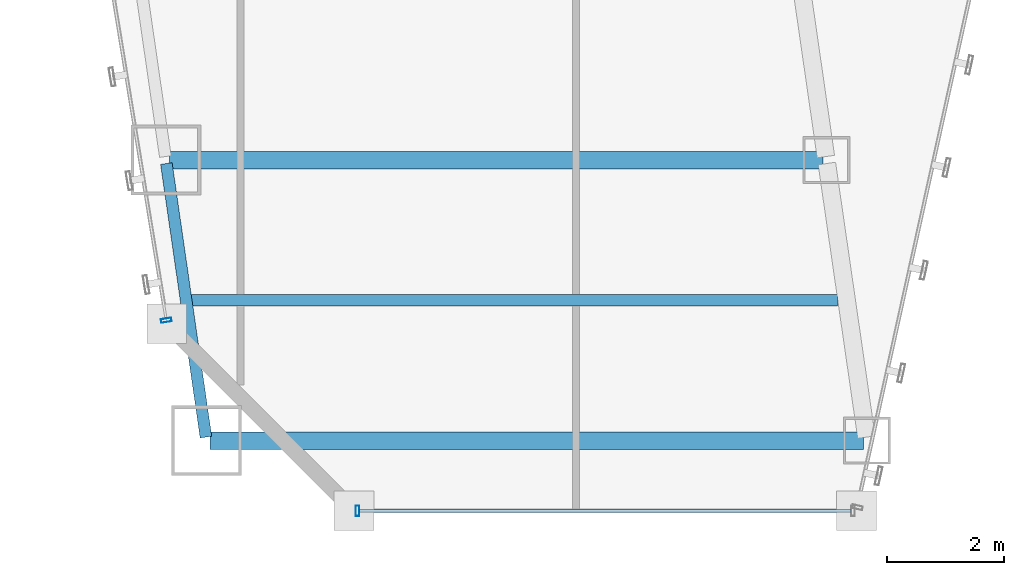
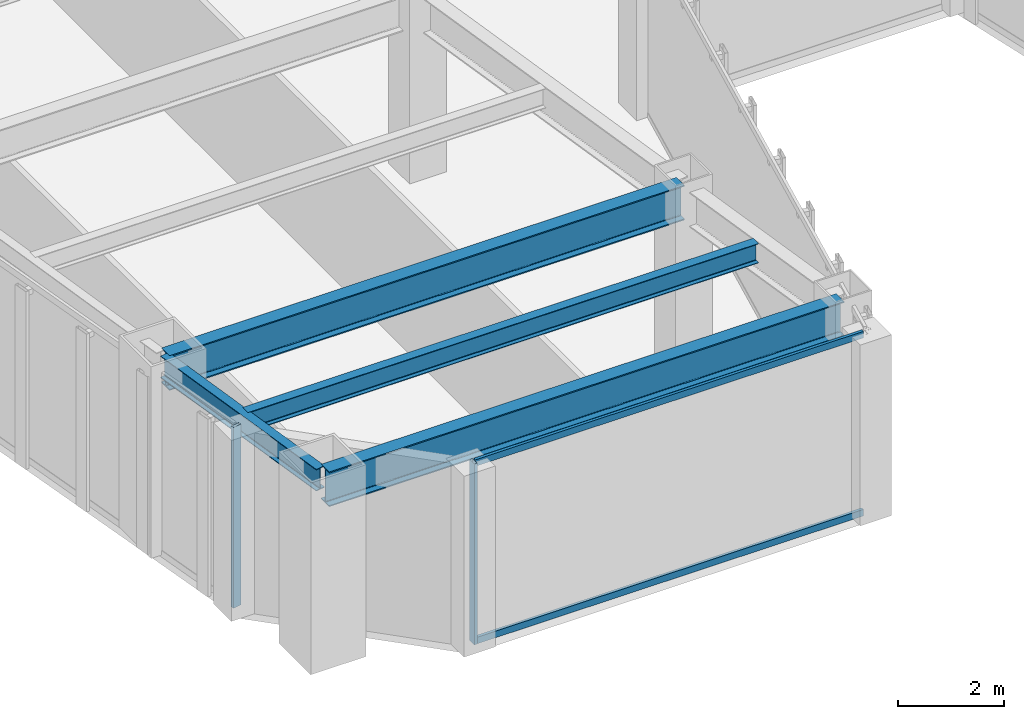
# One storey, part 4 of 47: 4 beams, 4 members, 2 elements without a shape of their own.
"""IFC4 building model written with IfcOpenShell, lengths in metres."""

import ifcopenshell
import ifcopenshell.guid

model = None  # the IFC model being written
_history = None  # IfcOwnerHistory: only IFC2X3 demands one
_inside = {}  # id of a spatial element -> (the spatial element, [elements in it])
_under = {}  # id of a project, library or spatial element -> (it, [spatial elements below it])
_declared = {}  # id of a project -> (the project, [libraries it declares])
_typed = {}  # id of a type object -> (the type object, [elements of that type])
_made_of = {}  # id of a material, layer set ... -> (it, [elements and type objects made of it])


def new_model(schema):
    """Start an empty IFC model of exactly this schema.

    Asked for "IFC4X3", IfcOpenShell would pick the latest addendum, in which some entities
    have other attributes; the version numbers below select the first issue.
    IFC2X3 requires an IfcOwnerHistory on every rooted entity: one is made here for all.
    """
    global model, _history
    if schema == "IFC4X3":
        model = ifcopenshell.file(schema_version=(4, 3, 0, 0))
    else:
        model = ifcopenshell.file(schema=schema)
    _inside.clear()
    _under.clear()
    _declared.clear()
    _typed.clear()
    _made_of.clear()
    _history = None
    if model.schema == "IFC2X3":
        org = make("IfcOrganization", Name="unknown")
        user = make(
            "IfcPersonAndOrganization",
            ThePerson=make("IfcPerson", FamilyName="unknown"),
            TheOrganization=org,
        )
        app = make(
            "IfcApplication",
            ApplicationDeveloper=org,
            Version="unknown",
            ApplicationFullName="unknown",
            ApplicationIdentifier="unknown",
        )
        _history = make(
            "IfcOwnerHistory",
            OwningUser=user,
            OwningApplication=app,
            ChangeAction="ADDED",
            CreationDate=0,
        )
    return model


def make(cls, **values):
    """One entity of the class cls with the attributes given. An attribute that is None is left unset."""
    return model.create_entity(
        cls, **{name: value for name, value in values.items() if value is not None}
    )


def rooted(cls, **values):
    """An entity with a GlobalId (a new one), such as an element, a storey or a relation."""
    return make(cls, GlobalId=ifcopenshell.guid.new(), OwnerHistory=_history, **values)


def si_unit(unit_type, name, prefix=None):
    """IfcSIUnit, for example si_unit("LENGTHUNIT", "METRE", prefix="MILLI")."""
    return make("IfcSIUnit", UnitType=unit_type, Prefix=prefix, Name=name)


def assignment(units):
    """IfcUnitAssignment: the units of a project."""
    return None if units is None else make("IfcUnitAssignment", Units=units)


def point(xyz):
    """IfcCartesianPoint."""
    return None if xyz is None else make("IfcCartesianPoint", Coordinates=xyz)


def direction(xyz):
    """IfcDirection."""
    return None if xyz is None else make("IfcDirection", DirectionRatios=xyz)


def frame(location, z_axis=None, x_axis=None):
    """IfcAxis2Placement3D, a coordinate frame: its origin and axes. An axis left out is left unset."""
    return make(
        "IfcAxis2Placement3D",
        Location=point(location),
        Axis=direction(z_axis),
        RefDirection=direction(x_axis),
    )


def frame_2d(location, x_axis=None):
    """IfcAxis2Placement2D, a coordinate frame in the plane: its origin and x axis."""
    return make(
        "IfcAxis2Placement2D", Location=point(location), RefDirection=direction(x_axis)
    )


def origin():
    """The frame at (0, 0, 0) with its axes left unset."""
    return frame((0.0, 0.0, 0.0))


def origin_2d():
    """The frame at (0, 0) in the plane with its x axis left unset."""
    return frame_2d((0.0, 0.0))


def place(relative_to, where):
    """IfcLocalPlacement: puts the frame where relative to a parent placement (None: the world)."""
    return make(
        "IfcLocalPlacement", PlacementRelTo=relative_to, RelativePlacement=where
    )


def context(
    kind, dimensions, precision=None, world=None, true_north=None, identifier=None
):
    """IfcGeometricRepresentationContext, for example the 3D "Model" context."""
    return make(
        "IfcGeometricRepresentationContext",
        ContextIdentifier=identifier,
        ContextType=kind,
        CoordinateSpaceDimension=dimensions,
        Precision=precision,
        WorldCoordinateSystem=world,
        TrueNorth=true_north,
    )


def subcontext(parent, identifier, kind, view, scale=None):
    """IfcGeometricRepresentationSubContext, for example "Body" below "Model"."""
    return make(
        "IfcGeometricRepresentationSubContext",
        ContextIdentifier=identifier,
        ContextType=kind,
        ParentContext=parent,
        TargetScale=scale,
        TargetView=view,
    )


def project(units=None, contexts=None):
    """IfcProject with its units and contexts."""
    return rooted(
        "IfcProject",
        Name="project",
        RepresentationContexts=contexts,
        UnitsInContext=assignment(units),
    )


def spatial(cls, under=None, at=None, **own):
    """A site, building, storey or space (cls), placed at a placement, below another one or the project."""
    s = rooted(cls, ObjectPlacement=at, **own)
    if under is not None:
        _under.setdefault(under.id(), (under, []))[1].append(s)
    return s


def profile(cls, at=None, kind="AREA", **sizes):
    """A parametric profile (cls). Its sizes go by their IFC names, for example OverallWidth=200.0."""
    return make(cls, ProfileType=kind, Position=at, **sizes)


def hollow_rectangle(**sizes):
    """IfcRectangleHollowProfileDef."""
    return profile("IfcRectangleHollowProfileDef", **sizes)


def i_section(**sizes):
    """IfcIShapeProfileDef."""
    return profile("IfcIShapeProfileDef", **sizes)


def extrude(swept, where, along, depth):
    """IfcExtrudedAreaSolid: the profile swept, set in the frame where, extruded along a direction by depth."""
    return make(
        "IfcExtrudedAreaSolid",
        SweptArea=swept,
        Position=where,
        ExtrudedDirection=direction(along),
        Depth=depth,
    )


def shape(context_of_items, identifier, shape_type, items):
    """IfcShapeRepresentation: the items that make up one representation, for example the "Body"."""
    return make(
        "IfcShapeRepresentation",
        ContextOfItems=context_of_items,
        RepresentationIdentifier=identifier,
        RepresentationType=shape_type,
        Items=items,
    )


def material(Name=None, Category=None):
    """IfcMaterial."""
    return make("IfcMaterial", Name=Name, Category=Category)


def material_profile(
    of_material, cross_section, Name=None, Category=None, Priority=None
):
    """IfcMaterialProfile: a cross section and its material."""
    return make(
        "IfcMaterialProfile",
        Name=Name,
        Material=of_material,
        Profile=cross_section,
        Priority=Priority,
        Category=Category,
    )


def profile_set(profiles, Name=None, composite=None):
    """IfcMaterialProfileSet."""
    return make(
        "IfcMaterialProfileSet",
        Name=Name,
        MaterialProfiles=profiles,
        CompositeProfile=composite,
    )


def made_of(thing, what):
    """Note that an element or type object is made of a material, layer set ...; save() writes the relation."""
    if what is not None:
        _made_of.setdefault(what.id(), (what, []))[1].append(thing)
    return thing


def type_object(cls, material=None, **own):
    """A type object (cls), such as IfcWallType, which elements share."""
    return made_of(rooted(cls, **own), material)


def element(
    cls,
    number,
    at=None,
    inside=None,
    cuts=None,
    type_object=None,
    material=None,
    context=None,
    identifier="Body",
    shape_type=None,
    held_by="IfcProductDefinitionShape",
    body=None,
    shapes=None,
    **own,
):
    """One element of the class cls, such as IfcWall. Its Tag is "e" and its number.

    at: its placement. inside: the storey or other place that contains it. cuts: it is an
    opening in that element (IfcRelVoidsElement). A single representation is given by context,
    identifier, shape_type and body (its items); several are given by shapes. held_by: the class
    of the entity that holds the representations. save() writes the other relations.
    """
    e = rooted(cls, Tag="e%d" % number, ObjectPlacement=at, **own)
    if body is not None:
        shapes = [shape(context, identifier, shape_type, body)]
    if shapes is not None:
        e.Representation = make(held_by, Representations=shapes)
    if inside is not None:
        _inside.setdefault(inside.id(), (inside, []))[1].append(e)
    if cuts is not None:
        rooted(
            "IfcRelVoidsElement", RelatingBuildingElement=cuts, RelatedOpeningElement=e
        )
    if type_object is not None:
        _typed.setdefault(type_object.id(), (type_object, []))[1].append(e)
    return made_of(e, material)


def aggregate(whole, parts):
    """IfcRelAggregates: a whole, such as a stair, and the parts it consists of."""
    return rooted("IfcRelAggregates", RelatingObject=whole, RelatedObjects=parts)


def save(model, path):
    """Write the relations noted so far, then the file.

    IfcRelAggregates (storeys below a building ...), IfcRelContainedInSpatialStructure (elements
    in a storey), IfcRelDefinesByType, IfcRelAssociatesMaterial and IfcRelDeclares: one each for
    every whole, place, type object, material and project.
    """
    for whole, parts in _under.values():
        aggregate(whole, parts)
    for where, things in _inside.values():
        rooted(
            "IfcRelContainedInSpatialStructure",
            RelatedElements=things,
            RelatingStructure=where,
        )
    for kind, things in _typed.values():
        rooted("IfcRelDefinesByType", RelatedObjects=things, RelatingType=kind)
    for what, things in _made_of.values():
        rooted("IfcRelAssociatesMaterial", RelatedObjects=things, RelatingMaterial=what)
    for by, libraries in _declared.values():
        rooted("IfcRelDeclares", RelatingContext=by, RelatedDefinitions=libraries)
    model.write(path)


model = new_model("IFC4")

# Units and contexts
model_context = context("Model", 3, precision=1e-05, world=origin(), true_north=direction((0.0, 1.0)))
body_context = subcontext(model_context, "Body", "Model", "MODEL_VIEW")
ifc_project = project(units=[si_unit("LENGTHUNIT", "METRE"), si_unit("AREAUNIT", "SQUARE_METRE"), si_unit("VOLUMEUNIT", "CUBIC_METRE"), si_unit("PLANEANGLEUNIT", "RADIAN"), si_unit("MASSUNIT", "GRAM", prefix="KILO")], contexts=[model_context])

# Site, building, storey
site_placement = place(None, origin())
site = spatial("IfcSite", under=ifc_project, at=site_placement, CompositionType="ELEMENT")
building_placement = place(site_placement, origin())
building = spatial("IfcBuilding", under=site, at=building_placement, Name="Saevonmaru Cultural Tower", CompositionType="ELEMENT")
storey_placement = place(building_placement, frame((0.0, 0.0, 42.800048828125)))
storey = spatial("IfcBuildingStorey", under=building, at=storey_placement, Name="L08", CompositionType="ELEMENT", Elevation=42.800048828125)

# Beams
ifc_material_1 = material(Name="Steel SM420", Category="steel")
ifc_material_profile_1 = material_profile(ifc_material_1, i_section(OverallWidth=0.300048828125, OverallDepth=0.800048828125, WebThickness=0.013916015625, FlangeThickness=0.02587890625, FilletRadius=0.028076171875, at=origin_2d()), Name="H-800x300x14x26")
ifc_profile_set_1 = profile_set([ifc_material_profile_1], Name="Steel SM420")
beam_type_1 = type_object("IfcBeamType", Name="BM-G-H800", PredefinedType="BEAM", material=ifc_profile_set_1)
for number, where, z_axis, x_axis, name in (
    (1, (12.537109375, 3.199951171875, 3.75), (1.0, 0.0, 0.0), (0.0, 1.0, 0.0), "L08 West Wing Transverse Girder 1"),
    (2, (11.843017578125, 8.0, 3.75), (1.0, 0.0, 0.0), (0.0, 1.0, 0.0), "L08 West Wing Transverse Girder 2"),
):
    element("IfcBeam", number, at=place(storey_placement, frame(where, z_axis=z_axis, x_axis=x_axis)), inside=storey, type_object=beam_type_1, Name=name, PredefinedType="BEAM", context=body_context, shape_type="SweptSolid", body=[
        extrude(i_section(OverallWidth=0.300048828125, OverallDepth=0.800048828125, WebThickness=0.013916015625, FlangeThickness=0.02587890625, FilletRadius=0.028076171875, at=origin_2d()), origin(), (0.0, 0.0, 1.0), 11.179931640625),
    ])
ifc_material_2 = material(Name="Steel SM355", Category="steel")
ifc_material_profile_2 = material_profile(ifc_material_2, i_section(OverallWidth=0.199951171875, OverallDepth=0.449951171875, WebThickness=0.009033203125, FlangeThickness=0.013916015625, FilletRadius=0.01806640625, at=origin_2d()), Name="H-450x200x9x14")
ifc_profile_set_2 = profile_set([ifc_material_profile_2], Name="Steel SM355")
beam_type_2 = type_object("IfcBeamType", Name="BM-J-H450", PredefinedType="JOIST", material=ifc_profile_set_2)
beam_1_placement = place(storey_placement, frame((12.18994140625, 5.60009765625, 3.925048828125), z_axis=(1.0, 0.0, 0.0), x_axis=(0.0, 1.0, 0.0)))
element("IfcBeam", 3, at=beam_1_placement, inside=storey, type_object=beam_type_2, Name="L08 West Wing Floor Joist 1", PredefinedType="JOIST", context=body_context, shape_type="SweptSolid", body=[
    extrude(i_section(OverallWidth=0.199951171875, OverallDepth=0.449951171875, WebThickness=0.009033203125, FlangeThickness=0.013916015625, FilletRadius=0.01806640625, at=origin_2d()), origin(), (0.0, 0.0, 1.0), 11.08203125),
])
ifc_material_profile_3 = material_profile(ifc_material_2, i_section(OverallWidth=0.199951171875, OverallDepth=0.5, WebThickness=0.010009765625, FlangeThickness=0.01611328125, FilletRadius=0.02001953125, at=origin_2d()), Name="H-500x200x10x16")
ifc_profile_set_3 = profile_set([ifc_material_profile_3], Name="Steel SM355")
beam_type_3 = type_object("IfcBeamType", Name="BM-SP-H500", PredefinedType="SPANDREL", material=ifc_profile_set_3)
beam_2_placement = place(storey_placement, frame((12.468505859375, 3.259521484375, 3.89990234375), z_axis=(-0.14313379491, 0.989703347855, 0.0), x_axis=(-0.989703347855, -0.14313379491, 0.0)))
element("IfcBeam", 4, at=beam_2_placement, inside=storey, type_object=beam_type_3, Name="L08 West Splayed Spandrel 1", PredefinedType="SPANDREL", context=body_context, shape_type="SweptSolid", body=[
    extrude(i_section(OverallWidth=0.199951171875, OverallDepth=0.5, WebThickness=0.010009765625, FlangeThickness=0.01611328125, FilletRadius=0.02001953125, at=origin_2d()), origin(), (0.0, 0.0, 1.0), 4.729736328125),
])

# Curtain wall, member
ifc_material_3 = material(Name="Satin Bronze Anodised Aluminium", Category="aluminium")
curtain_wall_type = type_object("IfcCurtainWallType", Name="CW-TYP-A", PredefinedType="NOTDEFINED", material=ifc_material_3)
curtain_wall_1_placement = place(storey_placement, origin())
curtain_wall_1 = element("IfcCurtainWall", 5, at=curtain_wall_1_placement, inside=storey, type_object=curtain_wall_type, Name="L08 Unitised Curtain Wall E2", PredefinedType="NOTDEFINED")
ifc_material_profile_4 = material_profile(ifc_material_3, hollow_rectangle(XDim=0.06494140625, YDim=0.179931640625, WallThickness=0.00390625, at=origin_2d()), Name="ALU-MULL-180x65x4")
ifc_profile_set_4 = profile_set([ifc_material_profile_4], Name="Satin Bronze Anodised Aluminium")
member_type_1 = type_object("IfcMemberType", Name="ML-CW-180x65", PredefinedType="MULLION", material=ifc_profile_set_4)
member_1_placement = place(storey_placement, frame((15.06005859375, 2.0, 0.0), z_axis=(0.0, 0.0, 1.0), x_axis=(1.0, 0.0, 0.0)))
member_1 = element("IfcMember", 6, at=member_1_placement, type_object=member_type_1, Name="CW-TW-L08-E2 mullion 1", PredefinedType="MULLION", context=body_context, shape_type="SweptSolid", body=[
    extrude(hollow_rectangle(XDim=0.06494140625, YDim=0.179931640625, WallThickness=0.00390625, at=origin_2d()), origin(), (0.0, 0.0, 1.0), 4.14990234375),
])

curtain_wall_2_placement = place(storey_placement, origin())
curtain_wall_2 = element("IfcCurtainWall", 7, at=curtain_wall_2_placement, inside=storey, type_object=curtain_wall_type, Name="L08 Unitised Curtain Wall E12", PredefinedType="NOTDEFINED")
member_2_placement = place(storey_placement, frame((11.790283203125, 5.25927734375, 0.0), z_axis=(0.0, 0.0, 1.0), x_axis=(0.161708868641, -0.986838508472, 0.0)))
member_2 = element("IfcMember", 8, at=member_2_placement, type_object=member_type_1, Name="CW-TW-L08-E12 mullion 5", PredefinedType="MULLION", context=body_context, shape_type="SweptSolid", body=[
    extrude(hollow_rectangle(XDim=0.06494140625, YDim=0.179931640625, WallThickness=0.00390625, at=origin_2d()), origin(), (0.0, 0.0, 1.0), 4.14990234375),
])
aggregate(curtain_wall_2, [member_2])

# Member
ifc_material_profile_5 = material_profile(ifc_material_3, hollow_rectangle(XDim=0.06494140625, YDim=0.14990234375, WallThickness=0.00390625, at=origin_2d()), Name="ALU-TRAN-150x65x4")
ifc_profile_set_5 = profile_set([ifc_material_profile_5], Name="Satin Bronze Anodised Aluminium")
member_type_2 = type_object("IfcMemberType", Name="TR-CW-150x65", PredefinedType="USERDEFINED", material=ifc_profile_set_5)
member_3_placement = place(storey_placement, frame((15.092529296875, 2.0, 0.032470703125), z_axis=(1.0, 0.0, 0.0), x_axis=(0.0, 1.0, 0.0)))
member_3 = element("IfcMember", 9, at=member_3_placement, type_object=member_type_2, Name="CW-TW-L08-E2 transom 1.1", ObjectType="TRANSOM", PredefinedType="USERDEFINED", context=body_context, shape_type="SweptSolid", body=[
    extrude(hollow_rectangle(XDim=0.06494140625, YDim=0.14990234375, WallThickness=0.00390625, at=origin_2d()), origin(), (0.0, 0.0, 1.0), 8.4150390625),
])

member_4_placement = place(storey_placement, frame((15.092529296875, 2.0, 4.117431640625), z_axis=(1.0, 0.0, 0.0), x_axis=(0.0, 1.0, 0.0)))
member_4 = element("IfcMember", 10, at=member_4_placement, type_object=member_type_2, Name="CW-TW-L08-E2 transom 1.2", ObjectType="TRANSOM", PredefinedType="USERDEFINED", context=body_context, shape_type="SweptSolid", body=[
    extrude(hollow_rectangle(XDim=0.06494140625, YDim=0.14990234375, WallThickness=0.00390625, at=origin_2d()), origin(), (0.0, 0.0, 1.0), 8.4150390625),
])

aggregate(curtain_wall_1, [member_1, member_3, member_4])

save(model, "model.ifc")
